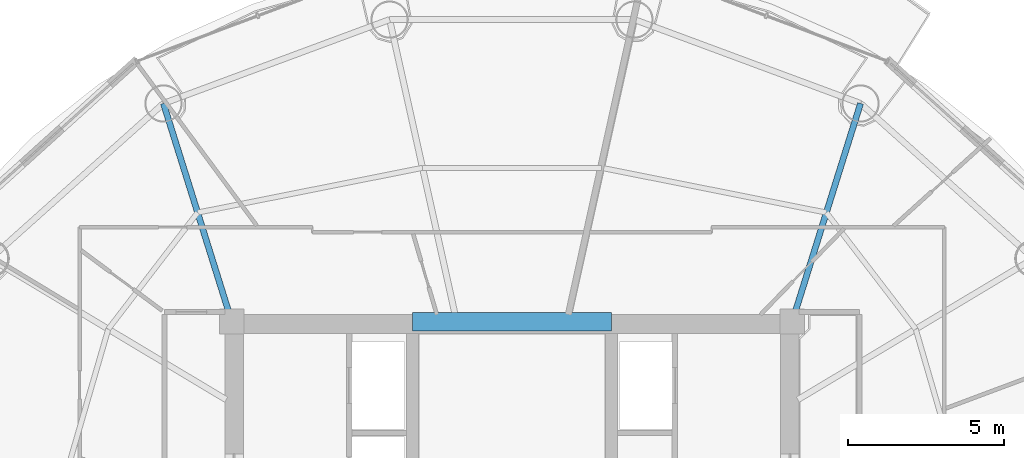
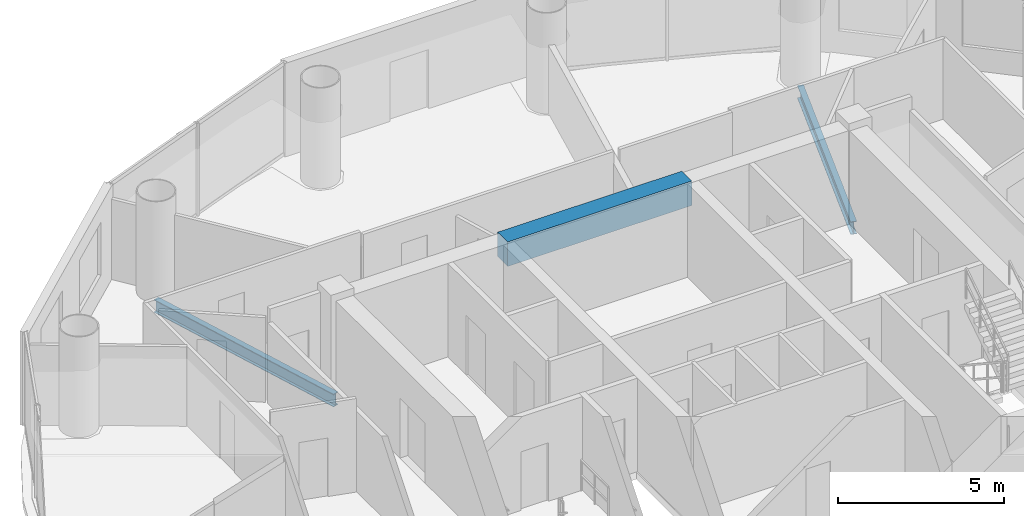
# One storey, part 10 of 26: 3 beams.
"""IFC4 building model written with IfcOpenShell, lengths in metres."""

import ifcopenshell
import ifcopenshell.guid

model = None  # the IFC model being written
_history = None  # IfcOwnerHistory: only IFC2X3 demands one
_inside = {}  # id of a spatial element -> (the spatial element, [elements in it])
_under = {}  # id of a project, library or spatial element -> (it, [spatial elements below it])
_declared = {}  # id of a project -> (the project, [libraries it declares])
_typed = {}  # id of a type object -> (the type object, [elements of that type])
_made_of = {}  # id of a material, layer set ... -> (it, [elements and type objects made of it])


def new_model(schema):
    """Start an empty IFC model of exactly this schema.

    Asked for "IFC4X3", IfcOpenShell would pick the latest addendum, in which some entities
    have other attributes; the version numbers below select the first issue.
    IFC2X3 requires an IfcOwnerHistory on every rooted entity: one is made here for all.
    """
    global model, _history
    if schema == "IFC4X3":
        model = ifcopenshell.file(schema_version=(4, 3, 0, 0))
    else:
        model = ifcopenshell.file(schema=schema)
    _inside.clear()
    _under.clear()
    _declared.clear()
    _typed.clear()
    _made_of.clear()
    _history = None
    if model.schema == "IFC2X3":
        org = make("IfcOrganization", Name="unknown")
        user = make(
            "IfcPersonAndOrganization",
            ThePerson=make("IfcPerson", FamilyName="unknown"),
            TheOrganization=org,
        )
        app = make(
            "IfcApplication",
            ApplicationDeveloper=org,
            Version="unknown",
            ApplicationFullName="unknown",
            ApplicationIdentifier="unknown",
        )
        _history = make(
            "IfcOwnerHistory",
            OwningUser=user,
            OwningApplication=app,
            ChangeAction="ADDED",
            CreationDate=0,
        )
    return model


def make(cls, **values):
    """One entity of the class cls with the attributes given. An attribute that is None is left unset."""
    return model.create_entity(
        cls, **{name: value for name, value in values.items() if value is not None}
    )


def rooted(cls, **values):
    """An entity with a GlobalId (a new one), such as an element, a storey or a relation."""
    return make(cls, GlobalId=ifcopenshell.guid.new(), OwnerHistory=_history, **values)


def si_unit(unit_type, name, prefix=None):
    """IfcSIUnit, for example si_unit("LENGTHUNIT", "METRE", prefix="MILLI")."""
    return make("IfcSIUnit", UnitType=unit_type, Prefix=prefix, Name=name)


def assignment(units):
    """IfcUnitAssignment: the units of a project."""
    return None if units is None else make("IfcUnitAssignment", Units=units)


def point(xyz):
    """IfcCartesianPoint."""
    return None if xyz is None else make("IfcCartesianPoint", Coordinates=xyz)


def direction(xyz):
    """IfcDirection."""
    return None if xyz is None else make("IfcDirection", DirectionRatios=xyz)


def frame(location, z_axis=None, x_axis=None):
    """IfcAxis2Placement3D, a coordinate frame: its origin and axes. An axis left out is left unset."""
    return make(
        "IfcAxis2Placement3D",
        Location=point(location),
        Axis=direction(z_axis),
        RefDirection=direction(x_axis),
    )


def frame_2d(location, x_axis=None):
    """IfcAxis2Placement2D, a coordinate frame in the plane: its origin and x axis."""
    return make(
        "IfcAxis2Placement2D", Location=point(location), RefDirection=direction(x_axis)
    )


def origin():
    """The frame at (0, 0, 0) with its axes left unset."""
    return frame((0.0, 0.0, 0.0))


def origin_2d():
    """The frame at (0, 0) in the plane with its x axis left unset."""
    return frame_2d((0.0, 0.0))


def place(relative_to, where):
    """IfcLocalPlacement: puts the frame where relative to a parent placement (None: the world)."""
    return make(
        "IfcLocalPlacement", PlacementRelTo=relative_to, RelativePlacement=where
    )


def context(
    kind, dimensions, precision=None, world=None, true_north=None, identifier=None
):
    """IfcGeometricRepresentationContext, for example the 3D "Model" context."""
    return make(
        "IfcGeometricRepresentationContext",
        ContextIdentifier=identifier,
        ContextType=kind,
        CoordinateSpaceDimension=dimensions,
        Precision=precision,
        WorldCoordinateSystem=world,
        TrueNorth=true_north,
    )


def subcontext(parent, identifier, kind, view, scale=None):
    """IfcGeometricRepresentationSubContext, for example "Body" below "Model"."""
    return make(
        "IfcGeometricRepresentationSubContext",
        ContextIdentifier=identifier,
        ContextType=kind,
        ParentContext=parent,
        TargetScale=scale,
        TargetView=view,
    )


def project(units=None, contexts=None):
    """IfcProject with its units and contexts."""
    return rooted(
        "IfcProject",
        Name="project",
        RepresentationContexts=contexts,
        UnitsInContext=assignment(units),
    )


def spatial(cls, under=None, at=None, **own):
    """A site, building, storey or space (cls), placed at a placement, below another one or the project."""
    s = rooted(cls, ObjectPlacement=at, **own)
    if under is not None:
        _under.setdefault(under.id(), (under, []))[1].append(s)
    return s


def profile(cls, at=None, kind="AREA", **sizes):
    """A parametric profile (cls). Its sizes go by their IFC names, for example OverallWidth=200.0."""
    return make(cls, ProfileType=kind, Position=at, **sizes)


def rectangle(**sizes):
    """IfcRectangleProfileDef."""
    return profile("IfcRectangleProfileDef", **sizes)


def i_section(**sizes):
    """IfcIShapeProfileDef."""
    return profile("IfcIShapeProfileDef", **sizes)


def extrude(swept, where, along, depth):
    """IfcExtrudedAreaSolid: the profile swept, set in the frame where, extruded along a direction by depth."""
    return make(
        "IfcExtrudedAreaSolid",
        SweptArea=swept,
        Position=where,
        ExtrudedDirection=direction(along),
        Depth=depth,
    )


def shape(context_of_items, identifier, shape_type, items):
    """IfcShapeRepresentation: the items that make up one representation, for example the "Body"."""
    return make(
        "IfcShapeRepresentation",
        ContextOfItems=context_of_items,
        RepresentationIdentifier=identifier,
        RepresentationType=shape_type,
        Items=items,
    )


def material(Name=None, Category=None):
    """IfcMaterial."""
    return make("IfcMaterial", Name=Name, Category=Category)


def material_profile(
    of_material, cross_section, Name=None, Category=None, Priority=None
):
    """IfcMaterialProfile: a cross section and its material."""
    return make(
        "IfcMaterialProfile",
        Name=Name,
        Material=of_material,
        Profile=cross_section,
        Priority=Priority,
        Category=Category,
    )


def profile_set(profiles, Name=None, composite=None):
    """IfcMaterialProfileSet."""
    return make(
        "IfcMaterialProfileSet",
        Name=Name,
        MaterialProfiles=profiles,
        CompositeProfile=composite,
    )


def made_of(thing, what):
    """Note that an element or type object is made of a material, layer set ...; save() writes the relation."""
    if what is not None:
        _made_of.setdefault(what.id(), (what, []))[1].append(thing)
    return thing


def type_object(cls, material=None, **own):
    """A type object (cls), such as IfcWallType, which elements share."""
    return made_of(rooted(cls, **own), material)


def element(
    cls,
    number,
    at=None,
    inside=None,
    cuts=None,
    type_object=None,
    material=None,
    context=None,
    identifier="Body",
    shape_type=None,
    held_by="IfcProductDefinitionShape",
    body=None,
    shapes=None,
    **own,
):
    """One element of the class cls, such as IfcWall. Its Tag is "e" and its number.

    at: its placement. inside: the storey or other place that contains it. cuts: it is an
    opening in that element (IfcRelVoidsElement). A single representation is given by context,
    identifier, shape_type and body (its items); several are given by shapes. held_by: the class
    of the entity that holds the representations. save() writes the other relations.
    """
    e = rooted(cls, Tag="e%d" % number, ObjectPlacement=at, **own)
    if body is not None:
        shapes = [shape(context, identifier, shape_type, body)]
    if shapes is not None:
        e.Representation = make(held_by, Representations=shapes)
    if inside is not None:
        _inside.setdefault(inside.id(), (inside, []))[1].append(e)
    if cuts is not None:
        rooted(
            "IfcRelVoidsElement", RelatingBuildingElement=cuts, RelatedOpeningElement=e
        )
    if type_object is not None:
        _typed.setdefault(type_object.id(), (type_object, []))[1].append(e)
    return made_of(e, material)


def aggregate(whole, parts):
    """IfcRelAggregates: a whole, such as a stair, and the parts it consists of."""
    return rooted("IfcRelAggregates", RelatingObject=whole, RelatedObjects=parts)


def save(model, path):
    """Write the relations noted so far, then the file.

    IfcRelAggregates (storeys below a building ...), IfcRelContainedInSpatialStructure (elements
    in a storey), IfcRelDefinesByType, IfcRelAssociatesMaterial and IfcRelDeclares: one each for
    every whole, place, type object, material and project.
    """
    for whole, parts in _under.values():
        aggregate(whole, parts)
    for where, things in _inside.values():
        rooted(
            "IfcRelContainedInSpatialStructure",
            RelatedElements=things,
            RelatingStructure=where,
        )
    for kind, things in _typed.values():
        rooted("IfcRelDefinesByType", RelatedObjects=things, RelatingType=kind)
    for what, things in _made_of.values():
        rooted("IfcRelAssociatesMaterial", RelatedObjects=things, RelatingMaterial=what)
    for by, libraries in _declared.values():
        rooted("IfcRelDeclares", RelatingContext=by, RelatedDefinitions=libraries)
    model.write(path)


model = new_model("IFC4")

# Units and contexts
model_context = context("Model", 3, precision=1e-05, world=origin(), true_north=direction((-0.2419218956, 0.970295726276)))
body_context = subcontext(model_context, "Body", "Model", "MODEL_VIEW")
ifc_project = project(units=[si_unit("LENGTHUNIT", "METRE"), si_unit("AREAUNIT", "SQUARE_METRE"), si_unit("VOLUMEUNIT", "CUBIC_METRE"), si_unit("PLANEANGLEUNIT", "RADIAN"), si_unit("MASSUNIT", "GRAM", prefix="KILO")], contexts=[model_context])

# Site, building, storey
site_placement = place(None, origin())
site = spatial("IfcSite", under=ifc_project, at=site_placement, CompositionType="ELEMENT")
building_placement = place(site_placement, origin())
building = spatial("IfcBuilding", under=site, at=building_placement, Name="Cobrevalo Terracotta Tower", CompositionType="ELEMENT")
storey_placement = place(building_placement, frame((0.0, 0.0, 228.199951171875)))
storey = spatial("IfcBuildingStorey", under=building, at=storey_placement, Name="L60", CompositionType="ELEMENT", Elevation=228.199951171875)

# Beams
ifc_material_1 = material(Name="Concrete C60", Category="concrete")
ifc_material_profile_1 = material_profile(ifc_material_1, rectangle(XDim=0.60009765625, YDim=0.89990234375, at=origin_2d()), Name="RC CB 600x900")
ifc_profile_set_1 = profile_set([ifc_material_profile_1], Name="Concrete C60")
beam_type_1 = type_object("IfcBeamType", Name="Structural Beam RC CB 600x900 (Concrete C60)", PredefinedType="BEAM", material=ifc_profile_set_1)
beam_placement = place(storey_placement, frame((34.800048828125, 34.800048828125, 2.985107421875), z_axis=(1.0, 0.0, 0.0), x_axis=(0.0, 1.0, 0.0)))
element("IfcBeam", 1, at=beam_placement, inside=storey, type_object=beam_type_1, Name="L60 core coupling beam 2", PredefinedType="BEAM", context=body_context, shape_type="SweptSolid", body=[
    extrude(rectangle(XDim=0.60009765625, YDim=0.89990234375, at=origin_2d()), origin(), (0.0, 0.0, 1.0), 6.39990234375),
])
ifc_material_2 = material(Name="Steel S355", Category="steel")
ifc_material_profile_2 = material_profile(ifc_material_2, i_section(OverallWidth=0.194091796875, OverallDepth=0.468994140625, WebThickness=0.011474609375, FlangeThickness=0.0205078125, at=origin_2d()), Name="W 460x106")
ifc_profile_set_2 = profile_set([ifc_material_profile_2], Name="Steel S355")
beam_type_2 = type_object("IfcBeamType", Name="Structural Beam W 460x106 (Steel S355)", PredefinedType="BEAM", material=ifc_profile_set_2)
for number, where, z_axis, x_axis, name in (
    (2, (49.19482421875, 41.80810546875, -0.49951171875), (-0.298871212691, -0.954293454984, 0.0), (0.954293454984, -0.298871212691, 0.0), "L60 radial floor girder 03"),
    (3, (26.80517578125, 41.80810546875, -0.49951171875), (0.298871212691, -0.954293454984, 0.0), (0.954293454984, 0.298871212691, 0.0), "L60 radial floor girder 06"),
):
    element("IfcBeam", number, at=place(storey_placement, frame(where, z_axis=z_axis, x_axis=x_axis)), inside=storey, type_object=beam_type_2, Name=name, PredefinedType="BEAM", context=body_context, shape_type="SweptSolid", body=[
        extrude(i_section(OverallWidth=0.194091796875, OverallDepth=0.468994140625, WebThickness=0.011474609375, FlangeThickness=0.0205078125, at=origin_2d()), origin(), (0.0, 0.0, 1.0), 7.34375),
    ])

save(model, "model.ifc")
